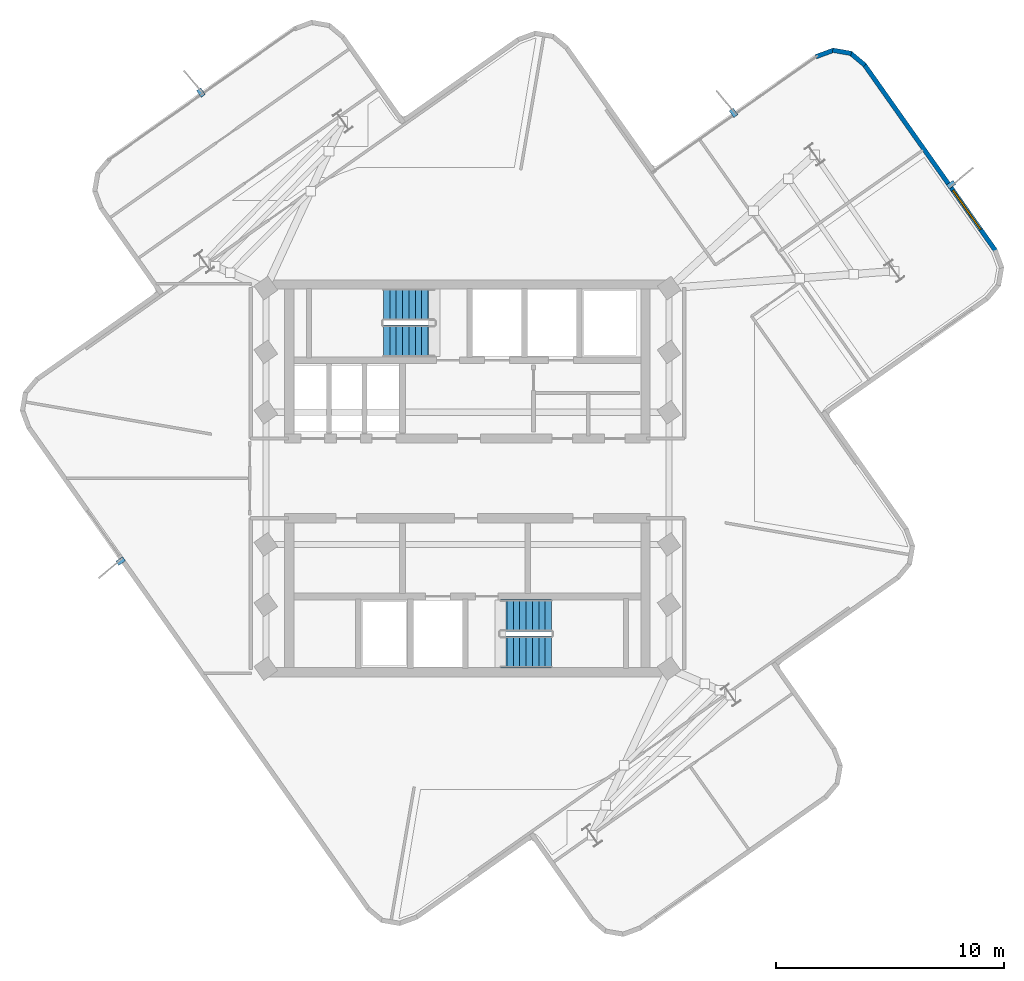
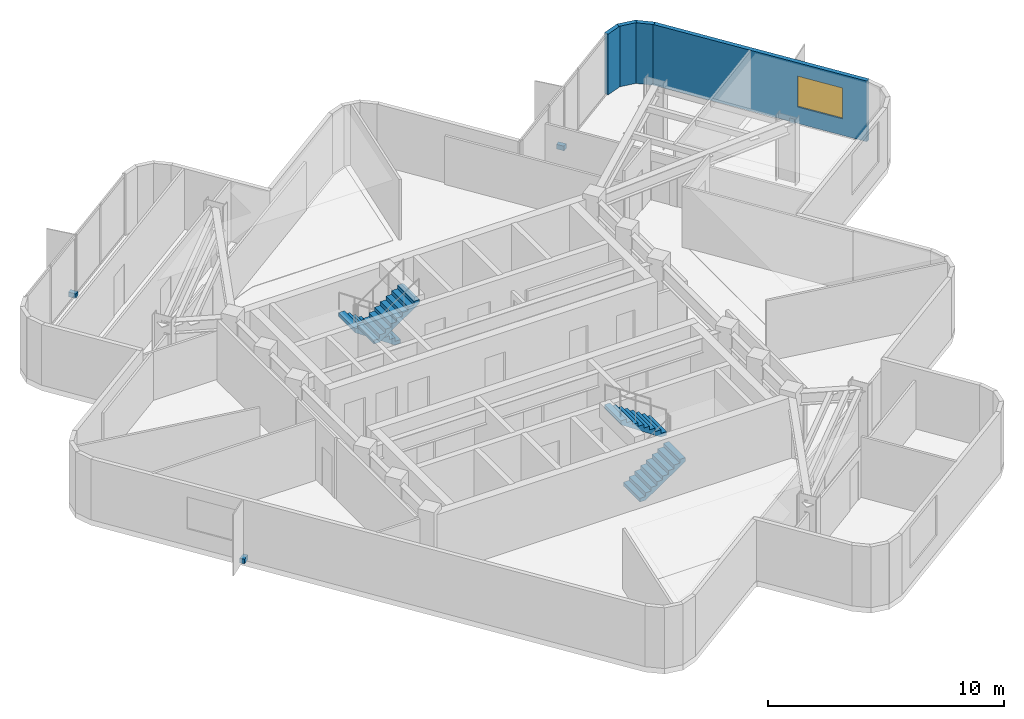
# One storey, part 6 of 8: 4 discrete accessories, 4 stair flights, 4 walls, 1 window, 1 opening, 2 elements without a shape of their own.
"""IFC4 building model written with IfcOpenShell, lengths in metres."""

from ifc_helpers import new_model, si_unit, direction, frame, frame_2d, origin, origin_2d, place, context, subcontext, project, spatial, polyline, rectangle, outline, extrude, material, layer, layer_set, type_object, element, fill, aggregate, save


model = new_model("IFC4")

# Units and contexts
model_context = context("Model", 3, precision=1e-05, world=origin(), true_north=direction((0.0, 1.0)))
body_context = subcontext(model_context, "Body", "Model", "MODEL_VIEW")
ifc_project = project(units=[si_unit("LENGTHUNIT", "METRE"), si_unit("AREAUNIT", "SQUARE_METRE"), si_unit("VOLUMEUNIT", "CUBIC_METRE"), si_unit("PLANEANGLEUNIT", "RADIAN"), si_unit("MASSUNIT", "GRAM", prefix="KILO")], contexts=[model_context])

# Site, building, storey
site_placement = place(None, origin())
site = spatial("IfcSite", under=ifc_project, at=site_placement, CompositionType="ELEMENT")
building_placement = place(site_placement, origin())
building = spatial("IfcBuilding", under=site, at=building_placement, Name="Solmarez Civic Tower", CompositionType="ELEMENT")
storey_placement = place(building_placement, frame((0.0, 0.0, 225.719970703125)))
storey = spatial("IfcBuildingStorey", under=building, at=storey_placement, Name="L60", CompositionType="ELEMENT", Elevation=225.719970703125)

# Walls
ifc_material_1 = material(Name="Precast concrete C40/50", Category="concrete")
ifc_layer = layer(ifc_material_1, 0.199951171875)
ifc_layer_set = layer_set([ifc_layer], Name="Precast concrete C40/50")
wall_type = type_object("IfcWallType", Name="WALL-EXT-200", PredefinedType="SOLIDWALL", material=ifc_layer_set)
wall_1_placement = place(storey_placement, frame((15.2919921875, 18.5048828125, 0.0), z_axis=(0.0, 0.0, 1.0), x_axis=(0.938148911857, 0.346232030844, 0.0)))
element("IfcWall", 1, at=wall_1_placement, inside=storey, type_object=wall_type, Name="L60 Exterior Precast Wall 32", PredefinedType="SOLIDWALL", context=body_context, shape_type="SweptSolid", body=[
    extrude(rectangle(XDim=0.837646484375, YDim=0.199951171875, at=frame_2d((0.4189453125, 0.0))), origin(), (0.0, 0.0, 1.0), 3.14013671875),
])
wall_2_placement = place(storey_placement, frame((16.030029296875, 18.7900390625, 0.0), z_axis=(0.0, 0.0, 1.0), x_axis=(0.985501046628, -0.16966934636, 0.0)))
element("IfcWall", 2, at=wall_2_placement, inside=storey, type_object=wall_type, Name="L60 Exterior Precast Wall 33", PredefinedType="SOLIDWALL", context=body_context, shape_type="SweptSolid", body=[
    extrude(rectangle(XDim=0.825927734375, YDim=0.199951171875, at=frame_2d((0.4130859375, 0.0))), origin(), (0.0, 0.0, 1.0), 3.14013671875),
])
wall_3_placement = place(storey_placement, frame((16.800048828125, 18.669921875, 0.0), z_axis=(0.0, 0.0, 1.0), x_axis=(0.767647650908, -0.640872127694, 0.0)))
element("IfcWall", 3, at=wall_3_placement, inside=storey, type_object=wall_type, Name="L60 Exterior Precast Wall 34", PredefinedType="SOLIDWALL", context=body_context, shape_type="SweptSolid", body=[
    extrude(rectangle(XDim=0.837646484375, YDim=0.199951171875, at=frame_2d((0.4189453125, 0.0))), origin(), (0.0, 0.0, 1.0), 3.14013671875),
])

# Wall, opening, window
wall_4_placement = place(storey_placement, frame((17.409912109375, 18.1689453125, 0.0), z_axis=(0.0, 0.0, 1.0), x_axis=(0.576414426355, -0.817157517918, 0.0)))
wall_4 = element("IfcWall", 4, at=wall_4_placement, inside=storey, type_object=wall_type, Name="L60 Exterior Precast Wall 35", PredefinedType="SOLIDWALL", context=body_context, shape_type="SweptSolid", body=[
    extrude(rectangle(XDim=10.0224609375, YDim=0.199951171875, at=frame_2d((5.01123046875, 0.0))), origin(), (0.0, 0.0, 1.0), 3.14013671875),
])
opening_placement = place(wall_4_placement, frame((6.76806640625, 0.0, 0.85009765625)))
opening = element("IfcOpeningElement", 5, at=opening_placement, cuts=wall_4, Name="Opening W-11", PredefinedType="OPENING", context=body_context, shape_type="SweptSolid", body=[
    extrude(rectangle(XDim=2.10009765625, YDim=1.60009765625, at=frame_2d((1.050048828125, 0.800048828125))), frame((0.0, 0.10986328125, 0.0), z_axis=(0.0, -1.0, 0.0), x_axis=(1.0, 0.0, 0.0)), (0.0, 0.0, 1.0), 0.219970703125),
])
ifc_material_2 = material(Name="Solar Control Bronze-Tinted Insulating Glass", Category="glass")
window_type = type_object("IfcWindowType", Name="WIN-2100X1600", PartitioningType="SINGLE_PANEL", PredefinedType="WINDOW", material=ifc_material_2)
window_placement = place(opening_placement, origin())
window = element("IfcWindow", 6, at=window_placement, inside=storey, type_object=window_type, Name="L60 Exterior Facade Window 35", OverallHeight=1.60009765625, OverallWidth=2.10009765625, PartitioningType="SINGLE_PANEL", PredefinedType="WINDOW", context=body_context, shape_type="SweptSolid", body=[
    extrude(rectangle(XDim=2.10009765625, YDim=1.60009765625, at=frame_2d((1.050048828125, 0.800048828125))), frame((0.0, 0.030029296875, 0.0), z_axis=(0.0, -1.0, 0.0), x_axis=(1.0, 0.0, 0.0)), (0.0, 0.0, 1.0), 0.06005859375),
])
fill(opening, window)

# Stair, stair flights
ifc_material_3 = material(Name="Concrete C50/60", Category="concrete")
stair_type = type_object("IfcStairType", Name="STAIR-DOGLEG-140W-18R-1900", PredefinedType="HALF_TURN_STAIR", material=ifc_material_3)
stair_1_placement = place(storey_placement, origin())
stair_1 = element("IfcStair", 7, at=stair_1_placement, inside=storey, type_object=stair_type, Name="L60 North Core Protected Exit Stair ST-1", PredefinedType="HALF_TURN_STAIR")
stair_flight_type = type_object("IfcStairFlightType", Name="FLIGHT-DOGLEG-140W-9R-1900", PredefinedType="STRAIGHT", material=ifc_material_3)
stair_flight_1_placement = place(storey_placement, frame((-1.449951171875, 7.6201171875, 0.0), z_axis=(0.0, 0.0, 1.0), x_axis=(-1.0, 0.0, 0.0)))
stair_flight_1 = element("IfcStairFlight", 8, at=stair_flight_1_placement, type_object=stair_flight_type, Name="ST-1 flight 1", NumberOfRisers=9, NumberOfTreads=8, PredefinedType="STRAIGHT", RiserHeight=0.19, TreadLength=0.28, context=body_context, shape_type="SweptSolid", body=[
    extrude(outline(polyline([(0.0, 0.0), (0.0, 0.18994140625), (0.280029296875, 0.18994140625), (0.280029296875, 0.3798828125), (0.56005859375, 0.3798828125), (0.56005859375, 0.570068359375), (0.840087890625, 0.570068359375), (0.840087890625, 0.760009765625), (1.1201171875, 0.760009765625), (1.1201171875, 0.949951171875), (1.39990234375, 0.949951171875), (1.39990234375, 1.139892578125), (1.679931640625, 1.139892578125), (1.679931640625, 1.330078125), (1.9599609375, 1.330078125), (1.9599609375, 1.52001953125), (2.239990234375, 1.52001953125), (2.239990234375, 1.7099609375), (2.239990234375, 1.32666015625), (0.284912109375, 0.0), (0.0, 0.0)])), frame((0.0, 0.699951171875, 0.0), z_axis=(0.0, -1.0, 0.0), x_axis=(1.0, 0.0, 0.0)), (0.0, 0.0, 1.0), 1.39990234375),
])
stair_flight_2_placement = place(storey_placement, frame((-3.68994140625, 6.02001953125, 1.7099609375), z_axis=(0.0, 0.0, 1.0), x_axis=(1.0, 0.0, 0.0)))
stair_flight_2 = element("IfcStairFlight", 9, at=stair_flight_2_placement, type_object=stair_flight_type, Name="ST-1 flight 2", NumberOfRisers=9, NumberOfTreads=8, PredefinedType="STRAIGHT", RiserHeight=0.19, TreadLength=0.28, context=body_context, shape_type="SweptSolid", body=[
    extrude(outline(polyline([(0.0, 0.0), (0.0, 0.18994140625), (0.280029296875, 0.18994140625), (0.280029296875, 0.3798828125), (0.56005859375, 0.3798828125), (0.56005859375, 0.570068359375), (0.840087890625, 0.570068359375), (0.840087890625, 0.760009765625), (1.1201171875, 0.760009765625), (1.1201171875, 0.949951171875), (1.39990234375, 0.949951171875), (1.39990234375, 1.139892578125), (1.679931640625, 1.139892578125), (1.679931640625, 1.330078125), (1.9599609375, 1.330078125), (1.9599609375, 1.52001953125), (2.239990234375, 1.52001953125), (2.239990234375, 1.7099609375), (2.239990234375, 1.32666015625), (0.284912109375, 0.0), (0.0, 0.0)])), frame((0.0, 0.699951171875, 0.0), z_axis=(0.0, -1.0, 0.0), x_axis=(1.0, 0.0, 0.0)), (0.0, 0.0, 1.0), 1.39990234375),
])
aggregate(stair_1, [stair_flight_1, stair_flight_2])

stair_2_placement = place(storey_placement, origin())
stair_2 = element("IfcStair", 10, at=stair_2_placement, inside=storey, type_object=stair_type, Name="L60 South Core Protected Exit Stair ST-2", PredefinedType="HALF_TURN_STAIR")
stair_flight_3_placement = place(storey_placement, frame((1.449951171875, -7.6201171875, 0.0), z_axis=(0.0, 0.0, 1.0), x_axis=(1.0, 0.0, 0.0)))
stair_flight_3 = element("IfcStairFlight", 11, at=stair_flight_3_placement, type_object=stair_flight_type, Name="ST-2 flight 1", NumberOfRisers=9, NumberOfTreads=8, PredefinedType="STRAIGHT", RiserHeight=0.19, TreadLength=0.28, context=body_context, shape_type="SweptSolid", body=[
    extrude(outline(polyline([(0.0, 0.0), (0.0, 0.18994140625), (0.280029296875, 0.18994140625), (0.280029296875, 0.3798828125), (0.56005859375, 0.3798828125), (0.56005859375, 0.570068359375), (0.840087890625, 0.570068359375), (0.840087890625, 0.760009765625), (1.1201171875, 0.760009765625), (1.1201171875, 0.949951171875), (1.39990234375, 0.949951171875), (1.39990234375, 1.139892578125), (1.679931640625, 1.139892578125), (1.679931640625, 1.330078125), (1.9599609375, 1.330078125), (1.9599609375, 1.52001953125), (2.239990234375, 1.52001953125), (2.239990234375, 1.7099609375), (2.239990234375, 1.32666015625), (0.284912109375, 0.0), (0.0, 0.0)])), frame((0.0, 0.699951171875, 0.0), z_axis=(0.0, -1.0, 0.0), x_axis=(1.0, 0.0, 0.0)), (0.0, 0.0, 1.0), 1.39990234375),
])
stair_flight_4_placement = place(storey_placement, frame((3.68994140625, -6.02001953125, 1.7099609375), z_axis=(0.0, 0.0, 1.0), x_axis=(-1.0, 0.0, 0.0)))
stair_flight_4 = element("IfcStairFlight", 12, at=stair_flight_4_placement, type_object=stair_flight_type, Name="ST-2 flight 2", NumberOfRisers=9, NumberOfTreads=8, PredefinedType="STRAIGHT", RiserHeight=0.19, TreadLength=0.28, context=body_context, shape_type="SweptSolid", body=[
    extrude(outline(polyline([(0.0, 0.0), (0.0, 0.18994140625), (0.280029296875, 0.18994140625), (0.280029296875, 0.3798828125), (0.56005859375, 0.3798828125), (0.56005859375, 0.570068359375), (0.840087890625, 0.570068359375), (0.840087890625, 0.760009765625), (1.1201171875, 0.760009765625), (1.1201171875, 0.949951171875), (1.39990234375, 0.949951171875), (1.39990234375, 1.139892578125), (1.679931640625, 1.139892578125), (1.679931640625, 1.330078125), (1.9599609375, 1.330078125), (1.9599609375, 1.52001953125), (2.239990234375, 1.52001953125), (2.239990234375, 1.7099609375), (2.239990234375, 1.32666015625), (0.284912109375, 0.0), (0.0, 0.0)])), frame((0.0, 0.699951171875, 0.0), z_axis=(0.0, -1.0, 0.0), x_axis=(1.0, 0.0, 0.0)), (0.0, 0.0, 1.0), 1.39990234375),
])
aggregate(stair_2, [stair_flight_3, stair_flight_4])

# Discrete accessories
ifc_material_4 = material(Name="Stainless Steel Grade 1.4401", Category="steel")
discrete_accessory_type = type_object("IfcDiscreteAccessoryType", Name="BRACKET-SS-FIN", PredefinedType="BRACKET", material=ifc_material_4)
for number, where, z_axis, x_axis, name in (
    (13, (-15.221923828125, -3.62890625, -0.06005859375), (0.0, 0.0, 1.0), (-0.817158475739, -0.576413068491, 0.0), "L60 Stainless Fin Support Bracket FIN-L60-01"),
    (14, (-11.698974609375, 16.931884765625, -0.06005859375), (0.0, 0.0, 1.0), (-0.576419423825, 0.817153992732, 0.0), "L60 Stainless Fin Support Bracket FIN-L60-02"),
    (15, (11.677001953125, 16.044921875, -0.06005859375), (0.0, 0.0, 1.0), (-0.576431512057, 0.817145465574, 0.0), "L60 Stainless Fin Support Bracket FIN-L60-03"),
    (16, (21.23193359375, 12.888916015625, -0.06005859375), (0.0, 0.0, 1.0), (0.817153992732, 0.576419423825, 0.0), "L60 Stainless Fin Support Bracket FIN-L60-04"),
):
    element("IfcDiscreteAccessory", number, at=place(storey_placement, frame(where, z_axis=z_axis, x_axis=x_axis)), inside=storey, type_object=discrete_accessory_type, Name=name, PredefinedType="BRACKET", context=body_context, shape_type="SweptSolid", body=[
        extrude(rectangle(XDim=0.360107421875, YDim=0.219970703125, at=origin_2d()), origin(), (0.0, 0.0, 1.0), 0.239990234375),
    ])

save(model, "model.ifc")
